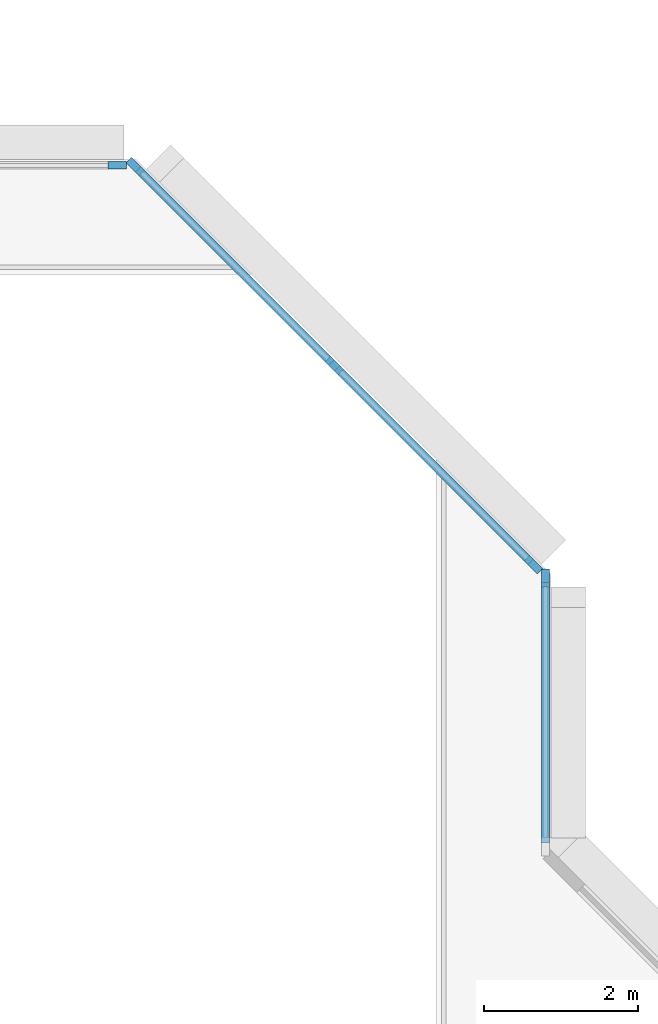
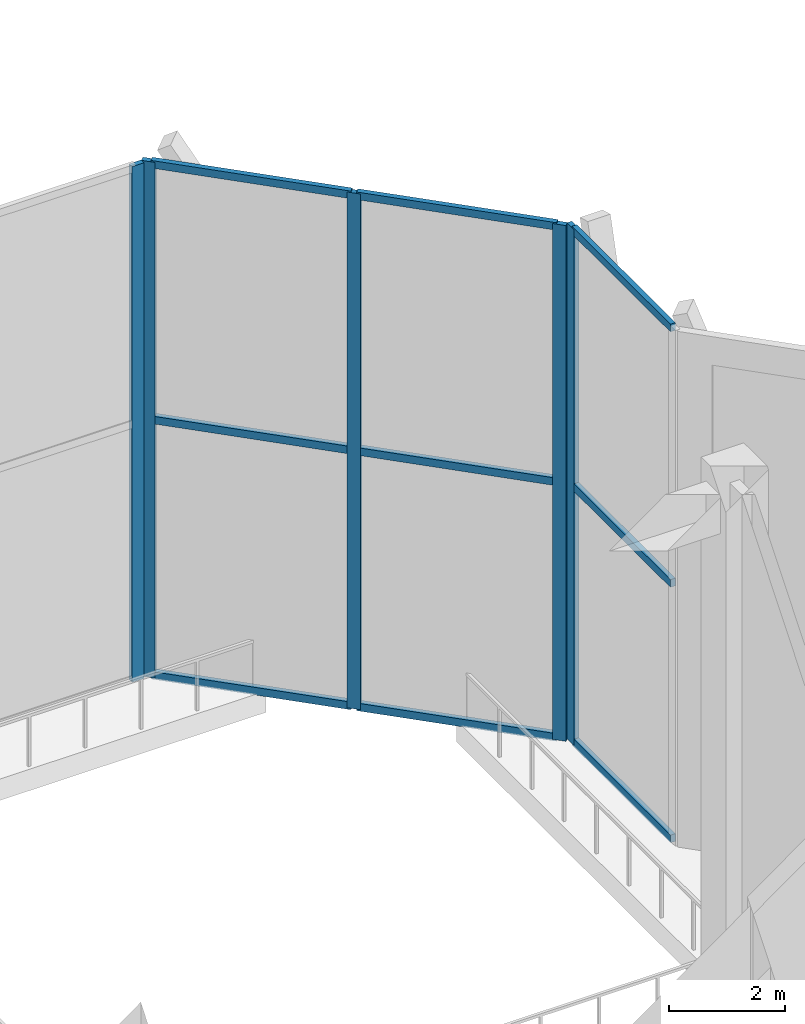
# One storey, part 6 of 18: 14 members, 3 elements without a shape of their own.
"""IFC4 building model written with IfcOpenShell, lengths in metres."""

from ifc_helpers import new_model, si_unit, direction, frame, origin, origin_2d, place, context, subcontext, project, spatial, rectangle, extrude, material, layer, layer_set, material_profile, profile_set, type_object, element, aggregate, save


model = new_model("IFC4")

# Units and contexts
model_context = context("Model", 3, precision=1e-05, world=origin(), true_north=direction((0.0, 1.0)))
body_context = subcontext(model_context, "Body", "Model", "MODEL_VIEW")
ifc_project = project(units=[si_unit("LENGTHUNIT", "METRE"), si_unit("AREAUNIT", "SQUARE_METRE"), si_unit("VOLUMEUNIT", "CUBIC_METRE"), si_unit("PLANEANGLEUNIT", "RADIAN"), si_unit("MASSUNIT", "GRAM", prefix="KILO")], contexts=[model_context])

# Site, building, storey
site_placement = place(None, origin())
site = spatial("IfcSite", under=ifc_project, at=site_placement, CompositionType="ELEMENT")
building_placement = place(site_placement, origin())
building = spatial("IfcBuilding", under=site, at=building_placement, Name="Chenar Terraces", CompositionType="ELEMENT")
storey_placement = place(building_placement, frame((0.0, 0.0, 262.14990234375)))
storey = spatial("IfcBuildingStorey", under=building, at=storey_placement, Name="L62", CompositionType="ELEMENT", Elevation=262.14990234375)

# Curtain wall, member
ifc_material_1 = material(Name="Aluminium framed glazing", Category="aluminium")
ifc_layer = layer(ifc_material_1, 0.14990234375)
ifc_layer_set = layer_set([ifc_layer], Name="Aluminium framed glazing")
curtain_wall_type = type_object("IfcCurtainWallType", Name="Atrium upper-zone curtain wall", PredefinedType="NOTDEFINED", material=ifc_layer_set)
placement = place(storey_placement, origin())
curtain_wall_1 = element("IfcCurtainWall", 1, at=placement, inside=storey, type_object=curtain_wall_type, Name="Atrium upper-zone curtain wall", PredefinedType="NOTDEFINED")
ifc_material_2 = material(Name="Aluminium", Category="aluminium")
ifc_material_profile_1 = material_profile(ifc_material_2, rectangle(XDim=0.10009765625, YDim=0.239990234375, at=origin_2d()), Name="Atrium upper-zone glazing mullion 100 x 240")
ifc_profile_set_1 = profile_set([ifc_material_profile_1], Name="Aluminium")
member_type_1 = type_object("IfcMemberType", Name="Atrium upper-zone glazing mullion 100 x 240", PredefinedType="MULLION", material=ifc_profile_set_1)
member_1_placement = place(storey_placement, frame((37.425048828125, 32.050048828125, 0.0), z_axis=(0.0, 0.0, 1.0), x_axis=(-1.0, 0.0, 0.0)))
member_1 = element("IfcMember", 2, at=member_1_placement, type_object=member_type_1, Name="CW8-1 mullion 2", PredefinedType="MULLION", context=body_context, shape_type="SweptSolid", body=[
    extrude(rectangle(XDim=0.10009765625, YDim=0.239990234375, at=origin_2d()), origin(), (0.0, 0.0, 1.0), 10.85009765625),
])

# Curtain wall, members
curtain_wall_2 = element("IfcCurtainWall", 3, at=placement, inside=storey, type_object=curtain_wall_type, Name="Atrium upper-zone curtain wall", PredefinedType="NOTDEFINED")
member_2_placement = place(storey_placement, frame((37.270263671875, 32.2236328125, 0.0), z_axis=(0.0, 0.0, 1.0), x_axis=(-0.707106781187, -0.707106781187, 0.0)))
member_2 = element("IfcMember", 4, at=member_2_placement, type_object=member_type_1, Name="CW8-2 mullion 1", PredefinedType="MULLION", context=body_context, shape_type="SweptSolid", body=[
    extrude(rectangle(XDim=0.10009765625, YDim=0.239990234375, at=origin_2d()), origin(), (0.0, 0.0, 1.0), 10.85009765625),
])
member_3_placement = place(storey_placement, frame((34.67626953125, 34.817626953125, 0.0), z_axis=(0.0, 0.0, 1.0), x_axis=(-0.707106781187, -0.707106781187, 0.0)))
member_3 = element("IfcMember", 5, at=member_3_placement, type_object=member_type_1, Name="CW8-2 mullion 2", PredefinedType="MULLION", context=body_context, shape_type="SweptSolid", body=[
    extrude(rectangle(XDim=0.10009765625, YDim=0.239990234375, at=origin_2d()), origin(), (0.0, 0.0, 1.0), 10.85009765625),
])
member_4_placement = place(storey_placement, frame((32.082275390625, 37.41162109375, 0.0), z_axis=(0.0, 0.0, 1.0), x_axis=(-0.707106781187, -0.707106781187, 0.0)))
member_4 = element("IfcMember", 6, at=member_4_placement, type_object=member_type_1, Name="CW8-2 mullion 3", PredefinedType="MULLION", context=body_context, shape_type="SweptSolid", body=[
    extrude(rectangle(XDim=0.10009765625, YDim=0.239990234375, at=origin_2d()), origin(), (0.0, 0.0, 1.0), 10.85009765625),
])

# Curtain wall, member
curtain_wall_3 = element("IfcCurtainWall", 7, at=placement, inside=storey, type_object=curtain_wall_type, Name="Atrium upper-zone curtain wall", PredefinedType="NOTDEFINED")
member_5_placement = place(storey_placement, frame((31.85009765625, 37.425048828125, 0.0), z_axis=(0.0, 0.0, 1.0), x_axis=(0.0, -1.0, 0.0)))
member_5 = element("IfcMember", 8, at=member_5_placement, type_object=member_type_1, Name="CW8-3 mullion 1", PredefinedType="MULLION", context=body_context, shape_type="SweptSolid", body=[
    extrude(rectangle(XDim=0.10009765625, YDim=0.239990234375, at=origin_2d()), origin(), (0.0, 0.0, 1.0), 10.85009765625),
])
aggregate(curtain_wall_3, [member_5])

# Member
ifc_material_3 = material(Name="Aluminium", Category="aluminium")
ifc_material_profile_2 = material_profile(ifc_material_3, rectangle(XDim=0.10009765625, YDim=0.159912109375, at=origin_2d()), Name="Atrium upper-zone glazing transom 100 x 160")
ifc_profile_set_2 = profile_set([ifc_material_profile_2], Name="Aluminium")
member_type_2 = type_object("IfcMemberType", Name="Atrium upper-zone glazing transom 100 x 160", PredefinedType="USERDEFINED", material=ifc_profile_set_2)
member_6_placement = place(storey_placement, frame((37.425048828125, 28.60009765625, 0.050048828125), z_axis=(0.0, 1.0, 0.0), x_axis=(-1.0, 0.0, 0.0)))
member_6 = element("IfcMember", 9, at=member_6_placement, type_object=member_type_2, Name="CW8-1 transom 1.1", ObjectType="TRANSOM", PredefinedType="USERDEFINED", context=body_context, shape_type="SweptSolid", body=[
    extrude(rectangle(XDim=0.10009765625, YDim=0.159912109375, at=origin_2d()), origin(), (0.0, 0.0, 1.0), 3.39990234375),
])

member_7_placement = place(storey_placement, frame((37.425048828125, 28.60009765625, 5.425048828125), z_axis=(0.0, 1.0, 0.0), x_axis=(-1.0, 0.0, 0.0)))
member_7 = element("IfcMember", 10, at=member_7_placement, type_object=member_type_2, Name="CW8-1 transom 1.2", ObjectType="TRANSOM", PredefinedType="USERDEFINED", context=body_context, shape_type="SweptSolid", body=[
    extrude(rectangle(XDim=0.10009765625, YDim=0.159912109375, at=origin_2d()), origin(), (0.0, 0.0, 1.0), 3.39990234375),
])

member_8_placement = place(storey_placement, frame((37.425048828125, 28.60009765625, 10.800048828125), z_axis=(0.0, 1.0, 0.0), x_axis=(-1.0, 0.0, 0.0)))
member_8 = element("IfcMember", 11, at=member_8_placement, type_object=member_type_2, Name="CW8-1 transom 1.3", ObjectType="TRANSOM", PredefinedType="USERDEFINED", context=body_context, shape_type="SweptSolid", body=[
    extrude(rectangle(XDim=0.10009765625, YDim=0.159912109375, at=origin_2d()), origin(), (0.0, 0.0, 1.0), 3.39990234375),
])

aggregate(curtain_wall_1, [member_1, member_6, member_7, member_8])

member_9_placement = place(storey_placement, frame((37.23486328125, 32.259033203125, 0.050048828125), z_axis=(-0.707106781187, 0.707106781187, 0.0), x_axis=(-0.707106781187, -0.707106781187, 0.0)))
member_9 = element("IfcMember", 12, at=member_9_placement, type_object=member_type_2, Name="CW8-2 transom 1.1", ObjectType="TRANSOM", PredefinedType="USERDEFINED", context=body_context, shape_type="SweptSolid", body=[
    extrude(rectangle(XDim=0.10009765625, YDim=0.159912109375, at=origin_2d()), origin(), (0.0, 0.0, 1.0), 3.568359375),
])

member_10_placement = place(storey_placement, frame((37.23486328125, 32.259033203125, 5.425048828125), z_axis=(-0.707106781187, 0.707106781187, 0.0), x_axis=(-0.707106781187, -0.707106781187, 0.0)))
member_10 = element("IfcMember", 13, at=member_10_placement, type_object=member_type_2, Name="CW8-2 transom 1.2", ObjectType="TRANSOM", PredefinedType="USERDEFINED", context=body_context, shape_type="SweptSolid", body=[
    extrude(rectangle(XDim=0.10009765625, YDim=0.159912109375, at=origin_2d()), origin(), (0.0, 0.0, 1.0), 3.568359375),
])

member_11_placement = place(storey_placement, frame((37.23486328125, 32.259033203125, 10.800048828125), z_axis=(-0.707106781187, 0.707106781187, 0.0), x_axis=(-0.707106781187, -0.707106781187, 0.0)))
member_11 = element("IfcMember", 14, at=member_11_placement, type_object=member_type_2, Name="CW8-2 transom 1.3", ObjectType="TRANSOM", PredefinedType="USERDEFINED", context=body_context, shape_type="SweptSolid", body=[
    extrude(rectangle(XDim=0.10009765625, YDim=0.159912109375, at=origin_2d()), origin(), (0.0, 0.0, 1.0), 3.568359375),
])

member_12_placement = place(storey_placement, frame((34.640869140625, 34.85302734375, 0.050048828125), z_axis=(-0.707106781187, 0.707106781187, 0.0), x_axis=(-0.707106781187, -0.707106781187, 0.0)))
member_12 = element("IfcMember", 15, at=member_12_placement, type_object=member_type_2, Name="CW8-2 transom 2.1", ObjectType="TRANSOM", PredefinedType="USERDEFINED", context=body_context, shape_type="SweptSolid", body=[
    extrude(rectangle(XDim=0.10009765625, YDim=0.159912109375, at=origin_2d()), origin(), (0.0, 0.0, 1.0), 3.568359375),
])

member_13_placement = place(storey_placement, frame((34.640869140625, 34.85302734375, 5.425048828125), z_axis=(-0.707106781187, 0.707106781187, 0.0), x_axis=(-0.707106781187, -0.707106781187, 0.0)))
member_13 = element("IfcMember", 16, at=member_13_placement, type_object=member_type_2, Name="CW8-2 transom 2.2", ObjectType="TRANSOM", PredefinedType="USERDEFINED", context=body_context, shape_type="SweptSolid", body=[
    extrude(rectangle(XDim=0.10009765625, YDim=0.159912109375, at=origin_2d()), origin(), (0.0, 0.0, 1.0), 3.568359375),
])

member_14_placement = place(storey_placement, frame((34.640869140625, 34.85302734375, 10.800048828125), z_axis=(-0.707106781187, 0.707106781187, 0.0), x_axis=(-0.707106781187, -0.707106781187, 0.0)))
member_14 = element("IfcMember", 17, at=member_14_placement, type_object=member_type_2, Name="CW8-2 transom 2.3", ObjectType="TRANSOM", PredefinedType="USERDEFINED", context=body_context, shape_type="SweptSolid", body=[
    extrude(rectangle(XDim=0.10009765625, YDim=0.159912109375, at=origin_2d()), origin(), (0.0, 0.0, 1.0), 3.568359375),
])

aggregate(curtain_wall_2, [member_2, member_3, member_4, member_9, member_10, member_11, member_12, member_13, member_14])

save(model, "model.ifc")
